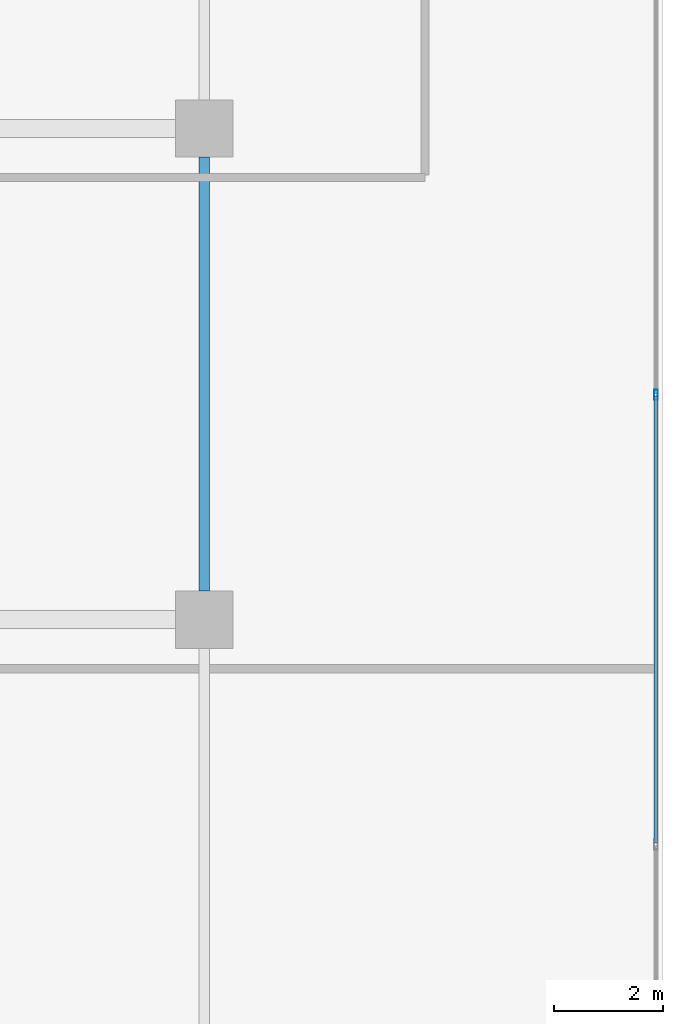
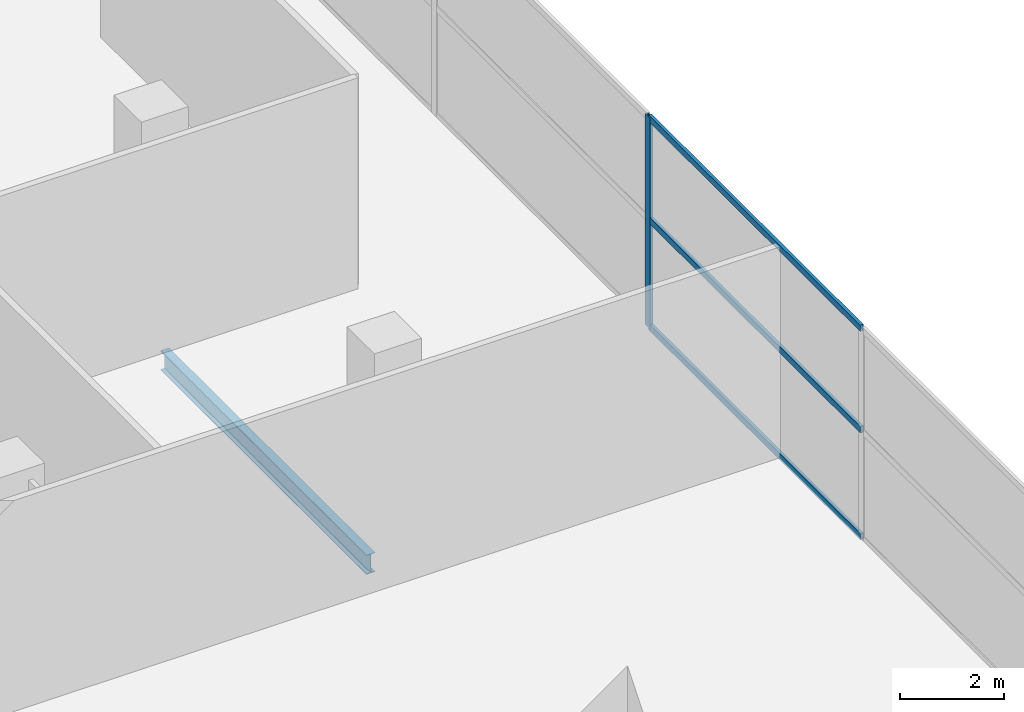
# One storey, part 27 of 40: 4 members, 1 beam, 1 element without a shape of its own.
"""IFC4 building model written with IfcOpenShell, lengths in metres."""

import ifcopenshell
import ifcopenshell.guid

model = None  # the IFC model being written
_history = None  # IfcOwnerHistory: only IFC2X3 demands one
_inside = {}  # id of a spatial element -> (the spatial element, [elements in it])
_under = {}  # id of a project, library or spatial element -> (it, [spatial elements below it])
_declared = {}  # id of a project -> (the project, [libraries it declares])
_typed = {}  # id of a type object -> (the type object, [elements of that type])
_made_of = {}  # id of a material, layer set ... -> (it, [elements and type objects made of it])


def new_model(schema):
    """Start an empty IFC model of exactly this schema.

    Asked for "IFC4X3", IfcOpenShell would pick the latest addendum, in which some entities
    have other attributes; the version numbers below select the first issue.
    IFC2X3 requires an IfcOwnerHistory on every rooted entity: one is made here for all.
    """
    global model, _history
    if schema == "IFC4X3":
        model = ifcopenshell.file(schema_version=(4, 3, 0, 0))
    else:
        model = ifcopenshell.file(schema=schema)
    _inside.clear()
    _under.clear()
    _declared.clear()
    _typed.clear()
    _made_of.clear()
    _history = None
    if model.schema == "IFC2X3":
        org = make("IfcOrganization", Name="unknown")
        user = make(
            "IfcPersonAndOrganization",
            ThePerson=make("IfcPerson", FamilyName="unknown"),
            TheOrganization=org,
        )
        app = make(
            "IfcApplication",
            ApplicationDeveloper=org,
            Version="unknown",
            ApplicationFullName="unknown",
            ApplicationIdentifier="unknown",
        )
        _history = make(
            "IfcOwnerHistory",
            OwningUser=user,
            OwningApplication=app,
            ChangeAction="ADDED",
            CreationDate=0,
        )
    return model


def make(cls, **values):
    """One entity of the class cls with the attributes given. An attribute that is None is left unset."""
    return model.create_entity(
        cls, **{name: value for name, value in values.items() if value is not None}
    )


def rooted(cls, **values):
    """An entity with a GlobalId (a new one), such as an element, a storey or a relation."""
    return make(cls, GlobalId=ifcopenshell.guid.new(), OwnerHistory=_history, **values)


def si_unit(unit_type, name, prefix=None):
    """IfcSIUnit, for example si_unit("LENGTHUNIT", "METRE", prefix="MILLI")."""
    return make("IfcSIUnit", UnitType=unit_type, Prefix=prefix, Name=name)


def assignment(units):
    """IfcUnitAssignment: the units of a project."""
    return None if units is None else make("IfcUnitAssignment", Units=units)


def point(xyz):
    """IfcCartesianPoint."""
    return None if xyz is None else make("IfcCartesianPoint", Coordinates=xyz)


def direction(xyz):
    """IfcDirection."""
    return None if xyz is None else make("IfcDirection", DirectionRatios=xyz)


def frame(location, z_axis=None, x_axis=None):
    """IfcAxis2Placement3D, a coordinate frame: its origin and axes. An axis left out is left unset."""
    return make(
        "IfcAxis2Placement3D",
        Location=point(location),
        Axis=direction(z_axis),
        RefDirection=direction(x_axis),
    )


def frame_2d(location, x_axis=None):
    """IfcAxis2Placement2D, a coordinate frame in the plane: its origin and x axis."""
    return make(
        "IfcAxis2Placement2D", Location=point(location), RefDirection=direction(x_axis)
    )


def origin():
    """The frame at (0, 0, 0) with its axes left unset."""
    return frame((0.0, 0.0, 0.0))


def origin_2d():
    """The frame at (0, 0) in the plane with its x axis left unset."""
    return frame_2d((0.0, 0.0))


def place(relative_to, where):
    """IfcLocalPlacement: puts the frame where relative to a parent placement (None: the world)."""
    return make(
        "IfcLocalPlacement", PlacementRelTo=relative_to, RelativePlacement=where
    )


def context(
    kind, dimensions, precision=None, world=None, true_north=None, identifier=None
):
    """IfcGeometricRepresentationContext, for example the 3D "Model" context."""
    return make(
        "IfcGeometricRepresentationContext",
        ContextIdentifier=identifier,
        ContextType=kind,
        CoordinateSpaceDimension=dimensions,
        Precision=precision,
        WorldCoordinateSystem=world,
        TrueNorth=true_north,
    )


def subcontext(parent, identifier, kind, view, scale=None):
    """IfcGeometricRepresentationSubContext, for example "Body" below "Model"."""
    return make(
        "IfcGeometricRepresentationSubContext",
        ContextIdentifier=identifier,
        ContextType=kind,
        ParentContext=parent,
        TargetScale=scale,
        TargetView=view,
    )


def project(units=None, contexts=None):
    """IfcProject with its units and contexts."""
    return rooted(
        "IfcProject",
        Name="project",
        RepresentationContexts=contexts,
        UnitsInContext=assignment(units),
    )


def spatial(cls, under=None, at=None, **own):
    """A site, building, storey or space (cls), placed at a placement, below another one or the project."""
    s = rooted(cls, ObjectPlacement=at, **own)
    if under is not None:
        _under.setdefault(under.id(), (under, []))[1].append(s)
    return s


def profile(cls, at=None, kind="AREA", **sizes):
    """A parametric profile (cls). Its sizes go by their IFC names, for example OverallWidth=200.0."""
    return make(cls, ProfileType=kind, Position=at, **sizes)


def hollow_rectangle(**sizes):
    """IfcRectangleHollowProfileDef."""
    return profile("IfcRectangleHollowProfileDef", **sizes)


def i_section(**sizes):
    """IfcIShapeProfileDef."""
    return profile("IfcIShapeProfileDef", **sizes)


def extrude(swept, where, along, depth):
    """IfcExtrudedAreaSolid: the profile swept, set in the frame where, extruded along a direction by depth."""
    return make(
        "IfcExtrudedAreaSolid",
        SweptArea=swept,
        Position=where,
        ExtrudedDirection=direction(along),
        Depth=depth,
    )


def shape(context_of_items, identifier, shape_type, items):
    """IfcShapeRepresentation: the items that make up one representation, for example the "Body"."""
    return make(
        "IfcShapeRepresentation",
        ContextOfItems=context_of_items,
        RepresentationIdentifier=identifier,
        RepresentationType=shape_type,
        Items=items,
    )


def material(Name=None, Category=None):
    """IfcMaterial."""
    return make("IfcMaterial", Name=Name, Category=Category)


def layer(
    of_material, thickness, ventilated=None, Name=None, Category=None, Priority=None
):
    """IfcMaterialLayer: one layer of a wall or slab, of a material (None: an air gap)."""
    return make(
        "IfcMaterialLayer",
        Material=of_material,
        LayerThickness=thickness,
        IsVentilated=ventilated,
        Name=Name,
        Category=Category,
        Priority=Priority,
    )


def layer_set(layers, Name=None):
    """IfcMaterialLayerSet."""
    return make("IfcMaterialLayerSet", MaterialLayers=layers, LayerSetName=Name)


def material_profile(
    of_material, cross_section, Name=None, Category=None, Priority=None
):
    """IfcMaterialProfile: a cross section and its material."""
    return make(
        "IfcMaterialProfile",
        Name=Name,
        Material=of_material,
        Profile=cross_section,
        Priority=Priority,
        Category=Category,
    )


def profile_set(profiles, Name=None, composite=None):
    """IfcMaterialProfileSet."""
    return make(
        "IfcMaterialProfileSet",
        Name=Name,
        MaterialProfiles=profiles,
        CompositeProfile=composite,
    )


def made_of(thing, what):
    """Note that an element or type object is made of a material, layer set ...; save() writes the relation."""
    if what is not None:
        _made_of.setdefault(what.id(), (what, []))[1].append(thing)
    return thing


def type_object(cls, material=None, **own):
    """A type object (cls), such as IfcWallType, which elements share."""
    return made_of(rooted(cls, **own), material)


def element(
    cls,
    number,
    at=None,
    inside=None,
    cuts=None,
    type_object=None,
    material=None,
    context=None,
    identifier="Body",
    shape_type=None,
    held_by="IfcProductDefinitionShape",
    body=None,
    shapes=None,
    **own,
):
    """One element of the class cls, such as IfcWall. Its Tag is "e" and its number.

    at: its placement. inside: the storey or other place that contains it. cuts: it is an
    opening in that element (IfcRelVoidsElement). A single representation is given by context,
    identifier, shape_type and body (its items); several are given by shapes. held_by: the class
    of the entity that holds the representations. save() writes the other relations.
    """
    e = rooted(cls, Tag="e%d" % number, ObjectPlacement=at, **own)
    if body is not None:
        shapes = [shape(context, identifier, shape_type, body)]
    if shapes is not None:
        e.Representation = make(held_by, Representations=shapes)
    if inside is not None:
        _inside.setdefault(inside.id(), (inside, []))[1].append(e)
    if cuts is not None:
        rooted(
            "IfcRelVoidsElement", RelatingBuildingElement=cuts, RelatedOpeningElement=e
        )
    if type_object is not None:
        _typed.setdefault(type_object.id(), (type_object, []))[1].append(e)
    return made_of(e, material)


def aggregate(whole, parts):
    """IfcRelAggregates: a whole, such as a stair, and the parts it consists of."""
    return rooted("IfcRelAggregates", RelatingObject=whole, RelatedObjects=parts)


def save(model, path):
    """Write the relations noted so far, then the file.

    IfcRelAggregates (storeys below a building ...), IfcRelContainedInSpatialStructure (elements
    in a storey), IfcRelDefinesByType, IfcRelAssociatesMaterial and IfcRelDeclares: one each for
    every whole, place, type object, material and project.
    """
    for whole, parts in _under.values():
        aggregate(whole, parts)
    for where, things in _inside.values():
        rooted(
            "IfcRelContainedInSpatialStructure",
            RelatedElements=things,
            RelatingStructure=where,
        )
    for kind, things in _typed.values():
        rooted("IfcRelDefinesByType", RelatedObjects=things, RelatingType=kind)
    for what, things in _made_of.values():
        rooted("IfcRelAssociatesMaterial", RelatedObjects=things, RelatingMaterial=what)
    for by, libraries in _declared.values():
        rooted("IfcRelDeclares", RelatingContext=by, RelatedDefinitions=libraries)
    model.write(path)


model = new_model("IFC4")

# Units and contexts
model_context = context("Model", 3, precision=1e-05, world=origin(), true_north=direction((0.0, 1.0)))
body_context = subcontext(model_context, "Body", "Model", "MODEL_VIEW")
ifc_project = project(units=[si_unit("LENGTHUNIT", "METRE"), si_unit("AREAUNIT", "SQUARE_METRE"), si_unit("VOLUMEUNIT", "CUBIC_METRE"), si_unit("PLANEANGLEUNIT", "RADIAN"), si_unit("MASSUNIT", "GRAM", prefix="KILO")], contexts=[model_context])

# Site, building, storey
site_placement = place(None, origin())
site = spatial("IfcSite", under=ifc_project, at=site_placement, CompositionType="ELEMENT")
building_placement = place(site_placement, origin())
building = spatial("IfcBuilding", under=site, at=building_placement, Name="Maruvema Waterfront Hotel and Observation Tower", CompositionType="ELEMENT")
storey_placement = place(building_placement, frame((0.0, 0.0, 5.60009765625)))
storey = spatial("IfcBuildingStorey", under=building, at=storey_placement, Name="L01", CompositionType="ELEMENT", Elevation=5.60009765625)

# Curtain wall, members
ifc_material_1 = material(Name="Anodised bronze aluminium and solar-control low-E IGU", Category="aluminium")
ifc_layer = layer(ifc_material_1, 0.159912109375, Name="Podium Waterfront Storefront Curtain Wall System CW-01")
ifc_layer_set = layer_set([ifc_layer], Name="Anodised bronze aluminium and solar-control low-E IGU")
curtain_wall_type = type_object("IfcCurtainWallType", Name="Podium Waterfront Storefront Curtain Wall System CW-01", PredefinedType="USERDEFINED", material=ifc_layer_set)
curtain_wall_placement = place(storey_placement, origin())
curtain_wall = element("IfcCurtainWall", 1, at=curtain_wall_placement, inside=storey, type_object=curtain_wall_type, Name="L01 Curtain Wall CW-L01-E", ObjectType="UNITISED CURTAIN WALL", PredefinedType="USERDEFINED")
ifc_material_2 = material(Name="Anodised architectural bronze aluminium", Category="aluminium")
ifc_material_profile_1 = material_profile(ifc_material_2, hollow_rectangle(XDim=0.070068359375, YDim=0.14990234375, WallThickness=0.00390625, at=origin_2d()), Name="ALU-T70x150")
ifc_profile_set_1 = profile_set([ifc_material_profile_1], Name="Anodised architectural bronze aluminium")
member_type_1 = type_object("IfcMemberType", Name="Curtain Wall Horizontal Transom ALU-T70x150", PredefinedType="USERDEFINED", material=ifc_profile_set_1)
member_1_placement = place(storey_placement, frame((75.47998046875, 22.909912109375, 0.02978515625), z_axis=(0.0, 1.0, 0.0), x_axis=(-1.0, 0.0, 0.0)))
member_1 = element("IfcMember", 2, at=member_1_placement, type_object=member_type_1, Name="CW-01 transom 3.1", ObjectType="TRANSOM", PredefinedType="USERDEFINED", context=body_context, shape_type="SweptSolid", body=[
    extrude(hollow_rectangle(XDim=0.070068359375, YDim=0.14990234375, WallThickness=0.00390625, at=origin_2d()), origin(), (0.0, 0.0, 1.0), 8.18017578125),
])
member_2_placement = place(storey_placement, frame((75.47998046875, 22.909912109375, 2.5498046875), z_axis=(0.0, 1.0, 0.0), x_axis=(-1.0, 0.0, 0.0)))
member_2 = element("IfcMember", 3, at=member_2_placement, type_object=member_type_1, Name="CW-01 transom 3.2", ObjectType="TRANSOM", PredefinedType="USERDEFINED", context=body_context, shape_type="SweptSolid", body=[
    extrude(hollow_rectangle(XDim=0.070068359375, YDim=0.14990234375, WallThickness=0.00390625, at=origin_2d()), origin(), (0.0, 0.0, 1.0), 8.18017578125),
])
member_3_placement = place(storey_placement, frame((75.47998046875, 22.909912109375, 4.93994140625), z_axis=(0.0, 1.0, 0.0), x_axis=(-1.0, 0.0, 0.0)))
member_3 = element("IfcMember", 4, at=member_3_placement, type_object=member_type_1, Name="CW-01 transom 3.3", ObjectType="TRANSOM", PredefinedType="USERDEFINED", context=body_context, shape_type="SweptSolid", body=[
    extrude(hollow_rectangle(XDim=0.070068359375, YDim=0.14990234375, WallThickness=0.00390625, at=origin_2d()), origin(), (0.0, 0.0, 1.0), 8.18017578125),
])

# Beam
ifc_material_3 = material(Name="Steel ASTM A572 Grade 50", Category="steel")
ifc_material_profile_2 = material_profile(ifc_material_3, i_section(OverallWidth=0.18994140625, OverallDepth=0.45703125, WebThickness=0.009033203125, FlangeThickness=0.014404296875, FilletRadius=0.014892578125, at=origin_2d()), Name="W460x74.0")
ifc_profile_set_2 = profile_set([ifc_material_profile_2], Name="Steel ASTM A572 Grade 50")
beam_type = type_object("IfcBeamType", Name="Perimeter Spandrel Beam W460x74.0", PredefinedType="SPANDREL", material=ifc_profile_set_2)
beam_placement = place(storey_placement, frame((67.199951171875, 27.52490234375, -0.508544921875), z_axis=(0.0, 1.0, 0.0), x_axis=(-1.0, 0.0, 0.0)))
element("IfcBeam", 5, at=beam_placement, inside=storey, type_object=beam_type, Name="L01 Floor Girder NS-32", PredefinedType="SPANDREL", context=body_context, shape_type="SweptSolid", body=[
    extrude(i_section(OverallWidth=0.18994140625, OverallDepth=0.45703125, WebThickness=0.009033203125, FlangeThickness=0.014404296875, FilletRadius=0.014892578125, at=origin_2d()), origin(), (0.0, 0.0, 1.0), 7.9501953125),
])

# Member
ifc_material_4 = material(Name="Anodised architectural bronze aluminium", Category="aluminium")
ifc_material_profile_3 = material_profile(ifc_material_4, hollow_rectangle(XDim=0.070068359375, YDim=0.18994140625, WallThickness=0.00390625, at=origin_2d()), Name="ALU-M70x190")
ifc_profile_set_3 = profile_set([ifc_material_profile_3], Name="Anodised architectural bronze aluminium")
member_type_2 = type_object("IfcMemberType", Name="Podium Storefront Heavy Mullion ALU-M70x190", PredefinedType="MULLION", material=ifc_profile_set_3)
member_4_placement = place(storey_placement, frame((75.47998046875, 31.1201171875, 0.0), z_axis=(0.0, 0.0, 1.0), x_axis=(-1.0, 0.0, 0.0)))
member_4 = element("IfcMember", 6, at=member_4_placement, type_object=member_type_2, Name="CW-01 mullion 4", PredefinedType="MULLION", context=body_context, shape_type="SweptSolid", body=[
    extrude(hollow_rectangle(XDim=0.070068359375, YDim=0.18994140625, WallThickness=0.00390625, at=origin_2d()), origin(), (0.0, 0.0, 1.0), 4.969970703125),
])

aggregate(curtain_wall, [member_4, member_1, member_2, member_3])

save(model, "model.ifc")
